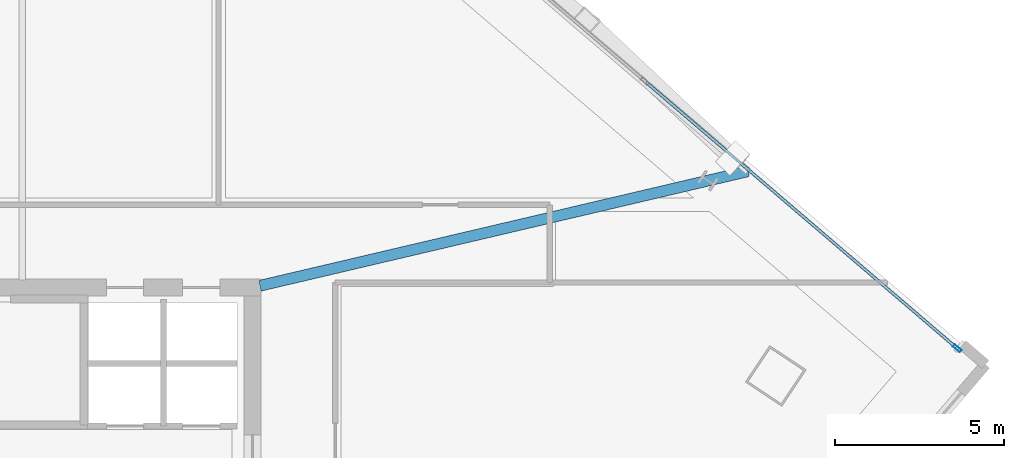
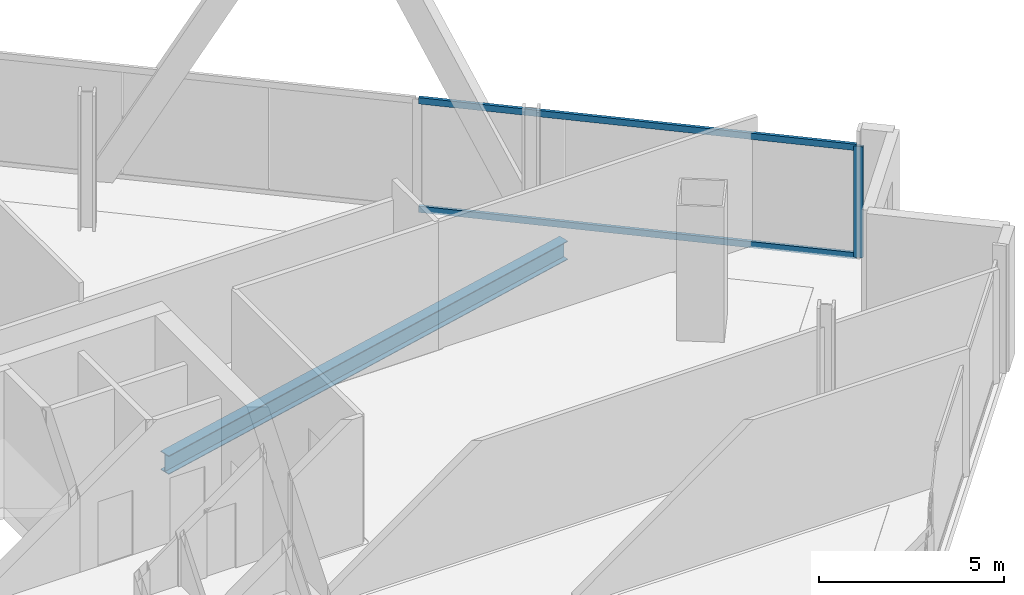
# One storey, part 14 of 26: 3 members, 1 beam, 1 element without a shape of its own.
"""IFC4 building model written with IfcOpenShell, lengths in metres."""

import ifcopenshell
import ifcopenshell.guid

model = None  # the IFC model being written
_history = None  # IfcOwnerHistory: only IFC2X3 demands one
_inside = {}  # id of a spatial element -> (the spatial element, [elements in it])
_under = {}  # id of a project, library or spatial element -> (it, [spatial elements below it])
_declared = {}  # id of a project -> (the project, [libraries it declares])
_typed = {}  # id of a type object -> (the type object, [elements of that type])
_made_of = {}  # id of a material, layer set ... -> (it, [elements and type objects made of it])


def new_model(schema):
    """Start an empty IFC model of exactly this schema.

    Asked for "IFC4X3", IfcOpenShell would pick the latest addendum, in which some entities
    have other attributes; the version numbers below select the first issue.
    IFC2X3 requires an IfcOwnerHistory on every rooted entity: one is made here for all.
    """
    global model, _history
    if schema == "IFC4X3":
        model = ifcopenshell.file(schema_version=(4, 3, 0, 0))
    else:
        model = ifcopenshell.file(schema=schema)
    _inside.clear()
    _under.clear()
    _declared.clear()
    _typed.clear()
    _made_of.clear()
    _history = None
    if model.schema == "IFC2X3":
        org = make("IfcOrganization", Name="unknown")
        user = make(
            "IfcPersonAndOrganization",
            ThePerson=make("IfcPerson", FamilyName="unknown"),
            TheOrganization=org,
        )
        app = make(
            "IfcApplication",
            ApplicationDeveloper=org,
            Version="unknown",
            ApplicationFullName="unknown",
            ApplicationIdentifier="unknown",
        )
        _history = make(
            "IfcOwnerHistory",
            OwningUser=user,
            OwningApplication=app,
            ChangeAction="ADDED",
            CreationDate=0,
        )
    return model


def make(cls, **values):
    """One entity of the class cls with the attributes given. An attribute that is None is left unset."""
    return model.create_entity(
        cls, **{name: value for name, value in values.items() if value is not None}
    )


def rooted(cls, **values):
    """An entity with a GlobalId (a new one), such as an element, a storey or a relation."""
    return make(cls, GlobalId=ifcopenshell.guid.new(), OwnerHistory=_history, **values)


def si_unit(unit_type, name, prefix=None):
    """IfcSIUnit, for example si_unit("LENGTHUNIT", "METRE", prefix="MILLI")."""
    return make("IfcSIUnit", UnitType=unit_type, Prefix=prefix, Name=name)


def assignment(units):
    """IfcUnitAssignment: the units of a project."""
    return None if units is None else make("IfcUnitAssignment", Units=units)


def point(xyz):
    """IfcCartesianPoint."""
    return None if xyz is None else make("IfcCartesianPoint", Coordinates=xyz)


def direction(xyz):
    """IfcDirection."""
    return None if xyz is None else make("IfcDirection", DirectionRatios=xyz)


def frame(location, z_axis=None, x_axis=None):
    """IfcAxis2Placement3D, a coordinate frame: its origin and axes. An axis left out is left unset."""
    return make(
        "IfcAxis2Placement3D",
        Location=point(location),
        Axis=direction(z_axis),
        RefDirection=direction(x_axis),
    )


def frame_2d(location, x_axis=None):
    """IfcAxis2Placement2D, a coordinate frame in the plane: its origin and x axis."""
    return make(
        "IfcAxis2Placement2D", Location=point(location), RefDirection=direction(x_axis)
    )


def origin():
    """The frame at (0, 0, 0) with its axes left unset."""
    return frame((0.0, 0.0, 0.0))


def origin_2d():
    """The frame at (0, 0) in the plane with its x axis left unset."""
    return frame_2d((0.0, 0.0))


def place(relative_to, where):
    """IfcLocalPlacement: puts the frame where relative to a parent placement (None: the world)."""
    return make(
        "IfcLocalPlacement", PlacementRelTo=relative_to, RelativePlacement=where
    )


def context(
    kind, dimensions, precision=None, world=None, true_north=None, identifier=None
):
    """IfcGeometricRepresentationContext, for example the 3D "Model" context."""
    return make(
        "IfcGeometricRepresentationContext",
        ContextIdentifier=identifier,
        ContextType=kind,
        CoordinateSpaceDimension=dimensions,
        Precision=precision,
        WorldCoordinateSystem=world,
        TrueNorth=true_north,
    )


def subcontext(parent, identifier, kind, view, scale=None):
    """IfcGeometricRepresentationSubContext, for example "Body" below "Model"."""
    return make(
        "IfcGeometricRepresentationSubContext",
        ContextIdentifier=identifier,
        ContextType=kind,
        ParentContext=parent,
        TargetScale=scale,
        TargetView=view,
    )


def project(units=None, contexts=None):
    """IfcProject with its units and contexts."""
    return rooted(
        "IfcProject",
        Name="project",
        RepresentationContexts=contexts,
        UnitsInContext=assignment(units),
    )


def spatial(cls, under=None, at=None, **own):
    """A site, building, storey or space (cls), placed at a placement, below another one or the project."""
    s = rooted(cls, ObjectPlacement=at, **own)
    if under is not None:
        _under.setdefault(under.id(), (under, []))[1].append(s)
    return s


def profile(cls, at=None, kind="AREA", **sizes):
    """A parametric profile (cls). Its sizes go by their IFC names, for example OverallWidth=200.0."""
    return make(cls, ProfileType=kind, Position=at, **sizes)


def hollow_rectangle(**sizes):
    """IfcRectangleHollowProfileDef."""
    return profile("IfcRectangleHollowProfileDef", **sizes)


def i_section(**sizes):
    """IfcIShapeProfileDef."""
    return profile("IfcIShapeProfileDef", **sizes)


def extrude(swept, where, along, depth):
    """IfcExtrudedAreaSolid: the profile swept, set in the frame where, extruded along a direction by depth."""
    return make(
        "IfcExtrudedAreaSolid",
        SweptArea=swept,
        Position=where,
        ExtrudedDirection=direction(along),
        Depth=depth,
    )


def shape(context_of_items, identifier, shape_type, items):
    """IfcShapeRepresentation: the items that make up one representation, for example the "Body"."""
    return make(
        "IfcShapeRepresentation",
        ContextOfItems=context_of_items,
        RepresentationIdentifier=identifier,
        RepresentationType=shape_type,
        Items=items,
    )


def material(Name=None, Category=None):
    """IfcMaterial."""
    return make("IfcMaterial", Name=Name, Category=Category)


def material_profile(
    of_material, cross_section, Name=None, Category=None, Priority=None
):
    """IfcMaterialProfile: a cross section and its material."""
    return make(
        "IfcMaterialProfile",
        Name=Name,
        Material=of_material,
        Profile=cross_section,
        Priority=Priority,
        Category=Category,
    )


def profile_set(profiles, Name=None, composite=None):
    """IfcMaterialProfileSet."""
    return make(
        "IfcMaterialProfileSet",
        Name=Name,
        MaterialProfiles=profiles,
        CompositeProfile=composite,
    )


def made_of(thing, what):
    """Note that an element or type object is made of a material, layer set ...; save() writes the relation."""
    if what is not None:
        _made_of.setdefault(what.id(), (what, []))[1].append(thing)
    return thing


def type_object(cls, material=None, **own):
    """A type object (cls), such as IfcWallType, which elements share."""
    return made_of(rooted(cls, **own), material)


def element(
    cls,
    number,
    at=None,
    inside=None,
    cuts=None,
    type_object=None,
    material=None,
    context=None,
    identifier="Body",
    shape_type=None,
    held_by="IfcProductDefinitionShape",
    body=None,
    shapes=None,
    **own,
):
    """One element of the class cls, such as IfcWall. Its Tag is "e" and its number.

    at: its placement. inside: the storey or other place that contains it. cuts: it is an
    opening in that element (IfcRelVoidsElement). A single representation is given by context,
    identifier, shape_type and body (its items); several are given by shapes. held_by: the class
    of the entity that holds the representations. save() writes the other relations.
    """
    e = rooted(cls, Tag="e%d" % number, ObjectPlacement=at, **own)
    if body is not None:
        shapes = [shape(context, identifier, shape_type, body)]
    if shapes is not None:
        e.Representation = make(held_by, Representations=shapes)
    if inside is not None:
        _inside.setdefault(inside.id(), (inside, []))[1].append(e)
    if cuts is not None:
        rooted(
            "IfcRelVoidsElement", RelatingBuildingElement=cuts, RelatedOpeningElement=e
        )
    if type_object is not None:
        _typed.setdefault(type_object.id(), (type_object, []))[1].append(e)
    return made_of(e, material)


def aggregate(whole, parts):
    """IfcRelAggregates: a whole, such as a stair, and the parts it consists of."""
    return rooted("IfcRelAggregates", RelatingObject=whole, RelatedObjects=parts)


def save(model, path):
    """Write the relations noted so far, then the file.

    IfcRelAggregates (storeys below a building ...), IfcRelContainedInSpatialStructure (elements
    in a storey), IfcRelDefinesByType, IfcRelAssociatesMaterial and IfcRelDeclares: one each for
    every whole, place, type object, material and project.
    """
    for whole, parts in _under.values():
        aggregate(whole, parts)
    for where, things in _inside.values():
        rooted(
            "IfcRelContainedInSpatialStructure",
            RelatedElements=things,
            RelatingStructure=where,
        )
    for kind, things in _typed.values():
        rooted("IfcRelDefinesByType", RelatedObjects=things, RelatingType=kind)
    for what, things in _made_of.values():
        rooted("IfcRelAssociatesMaterial", RelatedObjects=things, RelatingMaterial=what)
    for by, libraries in _declared.values():
        rooted("IfcRelDeclares", RelatingContext=by, RelatedDefinitions=libraries)
    model.write(path)


model = new_model("IFC4")

# Units and contexts
model_context = context("Model", 3, precision=1e-05, world=origin(), true_north=direction((0.0, 1.0)))
body_context = subcontext(model_context, "Body", "Model", "MODEL_VIEW")
ifc_project = project(units=[si_unit("LENGTHUNIT", "METRE"), si_unit("AREAUNIT", "SQUARE_METRE"), si_unit("VOLUMEUNIT", "CUBIC_METRE"), si_unit("PLANEANGLEUNIT", "RADIAN"), si_unit("MASSUNIT", "GRAM", prefix="KILO")], contexts=[model_context])

# Site, building, storey
site_placement = place(None, origin())
site = spatial("IfcSite", under=ifc_project, at=site_placement, CompositionType="ELEMENT")
building_placement = place(site_placement, origin())
building = spatial("IfcBuilding", under=site, at=building_placement, Name="Haldenkirk Collegiate Tower", CompositionType="ELEMENT")
storey_placement = place(building_placement, frame((0.0, 0.0, 193.949951171875)))
storey = spatial("IfcBuildingStorey", under=building, at=storey_placement, Name="L48", CompositionType="ELEMENT", Elevation=193.949951171875)

# Beam
ifc_material_1 = material(Name="Steel ASTM A992 Grade 50", Category="steel")
ifc_material_profile_1 = material_profile(ifc_material_1, i_section(OverallWidth=0.324951171875, OverallDepth=0.615966796875, WebThickness=0.013916015625, FlangeThickness=0.021484375, at=origin_2d()), Name="W24X117")
ifc_profile_set_1 = profile_set([ifc_material_profile_1], Name="Steel ASTM A992 Grade 50")
beam_type = type_object("IfcBeamType", Name="BM-GIRDER-W24X117", PredefinedType="BEAM", material=ifc_profile_set_1)
beam_placement = place(storey_placement, frame((59.666748046875, 37.44189453125, -0.718017578125), z_axis=(-0.973551030118, -0.228469673605, 0.0), x_axis=(0.228469673605, -0.973551030118, 0.0)))
element("IfcBeam", 1, at=beam_placement, inside=storey, type_object=beam_type, Name="L48 primary floor girder 08", PredefinedType="BEAM", context=body_context, shape_type="SweptSolid", body=[
    extrude(i_section(OverallWidth=0.324951171875, OverallDepth=0.615966796875, WebThickness=0.013916015625, FlangeThickness=0.021484375, at=origin_2d()), origin(), (0.0, 0.0, 1.0), 14.835205078125),
])

# Curtain wall, members
ifc_material_2 = material(Name="Anodised architectural bronze aluminium", Category="aluminium")
curtain_wall_type = type_object("IfcCurtainWallType", Name="CW-SYS4-SKYGARDEN", PredefinedType="USERDEFINED", material=ifc_material_2)
curtain_wall_placement = place(storey_placement, origin())
curtain_wall = element("IfcCurtainWall", 2, at=curtain_wall_placement, inside=storey, type_object=curtain_wall_type, Name="L48 Sky-garden tall bronze curtain wall", ObjectType="UNITISED CURTAIN WALL", PredefinedType="USERDEFINED")
ifc_material_profile_2 = material_profile(ifc_material_2, hollow_rectangle(XDim=0.090087890625, YDim=0.260009765625, WallThickness=0.0048828125, at=origin_2d()), Name="CW-MUL-04")
ifc_profile_set_2 = profile_set([ifc_material_profile_2], Name="Anodised architectural bronze aluminium")
member_type_1 = type_object("IfcMemberType", Name="CW-MUL-04", PredefinedType="MULLION", material=ifc_profile_set_2)
member_1_placement = place(storey_placement, frame((65.85546875, 32.199462890625, 0.0), z_axis=(0.0, 0.0, 1.0), x_axis=(0.650113163613, 0.759837400038, 0.0)))
member_1 = element("IfcMember", 3, at=member_1_placement, type_object=member_type_1, Name="CW-04 mullion 4", PredefinedType="MULLION", context=body_context, shape_type="SweptSolid", body=[
    extrude(hollow_rectangle(XDim=0.090087890625, YDim=0.260009765625, WallThickness=0.0048828125, at=origin_2d()), origin(), (0.0, 0.0, 1.0), 3.677978515625),
])
ifc_material_profile_3 = material_profile(ifc_material_2, hollow_rectangle(XDim=0.090087890625, YDim=0.2099609375, WallThickness=0.0048828125, at=origin_2d()), Name="CW-TRN-04")
ifc_profile_set_3 = profile_set([ifc_material_profile_3], Name="Anodised architectural bronze aluminium")
member_type_2 = type_object("IfcMemberType", Name="CW-TRN-04", PredefinedType="USERDEFINED", material=ifc_profile_set_3)
member_2_placement = place(storey_placement, frame((56.65380859375, 40.072265625, 0.045166015625), z_axis=(0.759843361266, -0.650106196202, 0.0), x_axis=(0.650106196202, 0.759843361266, 0.0)))
member_2 = element("IfcMember", 4, at=member_2_placement, type_object=member_type_2, Name="CW-04 transom 3.1", ObjectType="TRANSOM", PredefinedType="USERDEFINED", context=body_context, shape_type="SweptSolid", body=[
    extrude(hollow_rectangle(XDim=0.090087890625, YDim=0.2099609375, WallThickness=0.0048828125, at=origin_2d()), origin(), (0.0, 0.0, 1.0), 12.06494140625),
])
member_3_placement = place(storey_placement, frame((56.65380859375, 40.072265625, 3.633056640625), z_axis=(0.759843361266, -0.650106196202, 0.0), x_axis=(0.650106196202, 0.759843361266, 0.0)))
member_3 = element("IfcMember", 5, at=member_3_placement, type_object=member_type_2, Name="CW-04 transom 3.2", ObjectType="TRANSOM", PredefinedType="USERDEFINED", context=body_context, shape_type="SweptSolid", body=[
    extrude(hollow_rectangle(XDim=0.090087890625, YDim=0.2099609375, WallThickness=0.0048828125, at=origin_2d()), origin(), (0.0, 0.0, 1.0), 12.06494140625),
])
aggregate(curtain_wall, [member_1, member_2, member_3])

save(model, "model.ifc")
